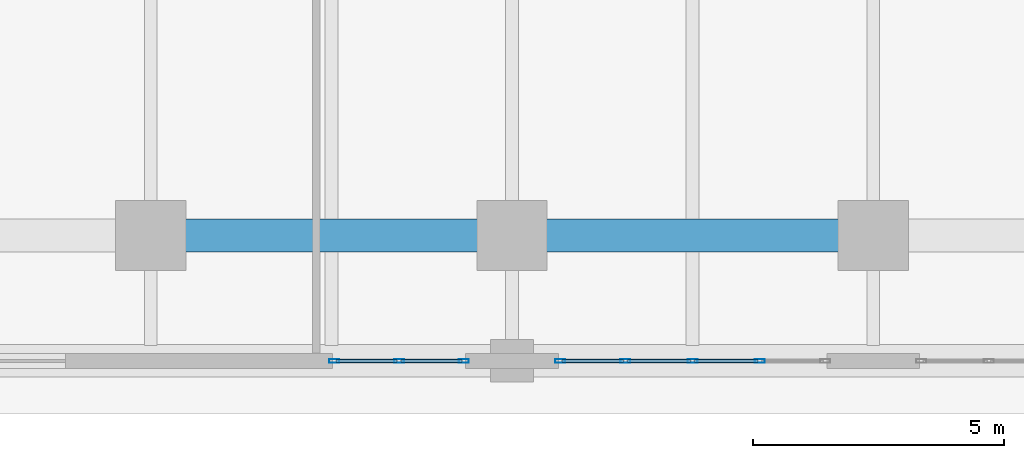
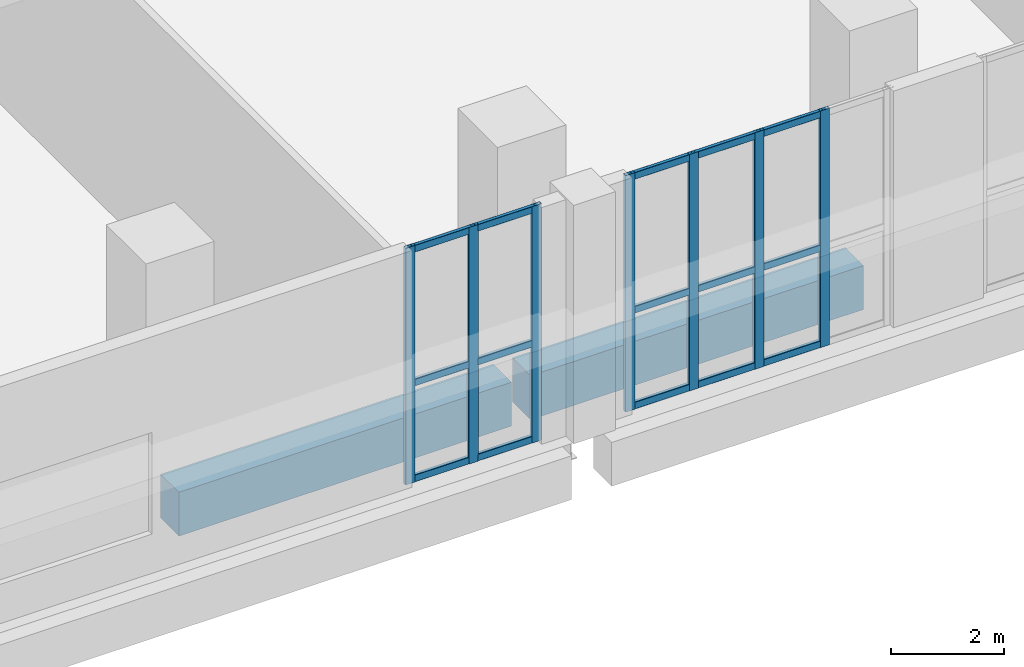
# One storey, part 2 of 25: 22 members, 2 beams, 2 elements without a shape of their own.
"""IFC4 building model written with IfcOpenShell, lengths in metres."""

from ifc_helpers import new_model, si_unit, direction, frame, origin, origin_2d, place, context, subcontext, project, spatial, rectangle, hollow_rectangle, extrude, material, layer, layer_set, material_profile, profile_set, type_object, element, aggregate, save


model = new_model("IFC4")

# Units and contexts
model_context = context("Model", 3, precision=1e-05, world=origin(), true_north=direction((0.0, 1.0)))
body_context = subcontext(model_context, "Body", "Model", "MODEL_VIEW")
ifc_project = project(units=[si_unit("LENGTHUNIT", "METRE"), si_unit("AREAUNIT", "SQUARE_METRE"), si_unit("VOLUMEUNIT", "CUBIC_METRE"), si_unit("PLANEANGLEUNIT", "RADIAN"), si_unit("MASSUNIT", "GRAM", prefix="KILO")], contexts=[model_context])

# Site, building, storey
site_placement = place(None, origin())
site = spatial("IfcSite", under=ifc_project, at=site_placement, CompositionType="ELEMENT")
building_placement = place(site_placement, origin())
building = spatial("IfcBuilding", under=site, at=building_placement, Name="Kaelvorn Grand Hotel", CompositionType="ELEMENT")
storey_placement = place(building_placement, frame((0.0, 0.0, 26.0)))
storey = spatial("IfcBuildingStorey", under=building, at=storey_placement, Name="L04", CompositionType="ELEMENT", Elevation=26.0)

# Beams
ifc_material_1 = material(Name="Concrete C60/75", Category="concrete")
ifc_material_profile_1 = material_profile(ifc_material_1, rectangle(XDim=0.64990234375, YDim=0.949951171875, at=origin_2d()), Name="RC SPANDREL 650x950")
ifc_profile_set_1 = profile_set([ifc_material_profile_1], Name="Concrete C60/75")
beam_type = type_object("IfcBeamType", Name="BM-SP-650x950-C60", PredefinedType="SPANDREL", material=ifc_profile_set_1)
for number, where, z_axis, x_axis, name in (
    (1, (16.39501953125, 0.0, -0.794921875), (1.0, 0.0, 0.0), (0.0, 1.0, 0.0), "L04 Tower Line South Girder 02"),
    (2, (23.594970703125, 0.0, -0.794921875), (1.0, 0.0, 0.0), (0.0, 1.0, 0.0), "L04 Tower Line South Girder 03"),
):
    element("IfcBeam", number, at=place(storey_placement, frame(where, z_axis=z_axis, x_axis=x_axis)), inside=storey, type_object=beam_type, Name=name, PredefinedType="SPANDREL", context=body_context, shape_type="SweptSolid", body=[
        extrude(rectangle(XDim=0.64990234375, YDim=0.949951171875, at=origin_2d()), origin(), (0.0, 0.0, 1.0), 6.81005859375),
    ])

# Curtain wall, members
ifc_material_2 = material(Name="Anodised Aluminium", Category="aluminium")
ifc_layer = layer(ifc_material_2, 0.199951171875)
ifc_layer_set = layer_set([ifc_layer], Name="Anodised Aluminium")
curtain_wall_type = type_object("IfcCurtainWallType", Name="CW-SYS2", PredefinedType="NOTDEFINED", material=ifc_layer_set)
curtain_wall_1_placement = place(storey_placement, origin())
curtain_wall_1 = element("IfcCurtainWall", 3, at=curtain_wall_1_placement, inside=storey, type_object=curtain_wall_type, Name="L04 Unitised Curtain Wall CW2 (CW-L04-S-01)", PredefinedType="NOTDEFINED")
ifc_material_profile_2 = material_profile(ifc_material_2, hollow_rectangle(XDim=0.074951171875, YDim=0.199951171875, WallThickness=0.00390625, InnerFilletRadius=0.00390625, OuterFilletRadius=0.008056640625, at=origin_2d()), Name="ALU MULL 75x200")
ifc_profile_set_2 = profile_set([ifc_material_profile_2], Name="Anodised Aluminium")
member_type_1 = type_object("IfcMemberType", Name="CW-SYS2-MULL", PredefinedType="MULLION", material=ifc_profile_set_2)
member_1_placement = place(storey_placement, frame((19.857421875, -2.5, 0.0), z_axis=(0.0, 0.0, 1.0), x_axis=(0.0, 1.0, 0.0)))
member_1 = element("IfcMember", 4, at=member_1_placement, type_object=member_type_1, Name="CW2 mullion 1", PredefinedType="MULLION", context=body_context, shape_type="SweptSolid", body=[
    extrude(hollow_rectangle(XDim=0.074951171875, YDim=0.199951171875, WallThickness=0.00390625, InnerFilletRadius=0.00390625, OuterFilletRadius=0.008056640625, at=origin_2d()), origin(), (0.0, 0.0, 1.0), 5.1201171875),
])
member_2_placement = place(storey_placement, frame((21.14990234375, -2.5, 0.0), z_axis=(0.0, 0.0, 1.0), x_axis=(0.0, 1.0, 0.0)))
member_2 = element("IfcMember", 5, at=member_2_placement, type_object=member_type_1, Name="CW2 mullion 2", PredefinedType="MULLION", context=body_context, shape_type="SweptSolid", body=[
    extrude(hollow_rectangle(XDim=0.074951171875, YDim=0.199951171875, WallThickness=0.00390625, InnerFilletRadius=0.00390625, OuterFilletRadius=0.008056640625, at=origin_2d()), origin(), (0.0, 0.0, 1.0), 5.1201171875),
])
member_3_placement = place(storey_placement, frame((22.4423828125, -2.5, 0.0), z_axis=(0.0, 0.0, 1.0), x_axis=(0.0, 1.0, 0.0)))
member_3 = element("IfcMember", 6, at=member_3_placement, type_object=member_type_1, Name="CW2 mullion 3", PredefinedType="MULLION", context=body_context, shape_type="SweptSolid", body=[
    extrude(hollow_rectangle(XDim=0.074951171875, YDim=0.199951171875, WallThickness=0.00390625, InnerFilletRadius=0.00390625, OuterFilletRadius=0.008056640625, at=origin_2d()), origin(), (0.0, 0.0, 1.0), 5.1201171875),
])

curtain_wall_2_placement = place(storey_placement, origin())
curtain_wall_2 = element("IfcCurtainWall", 7, at=curtain_wall_2_placement, inside=storey, type_object=curtain_wall_type, Name="L04 Unitised Curtain Wall CW2 (CW-L04-S-02)", PredefinedType="NOTDEFINED")
member_4_placement = place(storey_placement, frame((24.357421875, -2.5, 0.0), z_axis=(0.0, 0.0, 1.0), x_axis=(0.0, 1.0, 0.0)))
member_4 = element("IfcMember", 8, at=member_4_placement, type_object=member_type_1, Name="CW2 mullion 1", PredefinedType="MULLION", context=body_context, shape_type="SweptSolid", body=[
    extrude(hollow_rectangle(XDim=0.074951171875, YDim=0.199951171875, WallThickness=0.00390625, InnerFilletRadius=0.00390625, OuterFilletRadius=0.008056640625, at=origin_2d()), origin(), (0.0, 0.0, 1.0), 5.1201171875),
])
member_5_placement = place(storey_placement, frame((25.659912109375, -2.5, 0.0), z_axis=(0.0, 0.0, 1.0), x_axis=(0.0, 1.0, 0.0)))
member_5 = element("IfcMember", 9, at=member_5_placement, type_object=member_type_1, Name="CW2 mullion 2", PredefinedType="MULLION", context=body_context, shape_type="SweptSolid", body=[
    extrude(hollow_rectangle(XDim=0.074951171875, YDim=0.199951171875, WallThickness=0.00390625, InnerFilletRadius=0.00390625, OuterFilletRadius=0.008056640625, at=origin_2d()), origin(), (0.0, 0.0, 1.0), 5.1201171875),
])
member_6_placement = place(storey_placement, frame((27.0, -2.5, 0.0), z_axis=(0.0, 0.0, 1.0), x_axis=(0.0, 1.0, 0.0)))
member_6 = element("IfcMember", 10, at=member_6_placement, type_object=member_type_1, Name="CW2 mullion 3", PredefinedType="MULLION", context=body_context, shape_type="SweptSolid", body=[
    extrude(hollow_rectangle(XDim=0.074951171875, YDim=0.199951171875, WallThickness=0.00390625, InnerFilletRadius=0.00390625, OuterFilletRadius=0.008056640625, at=origin_2d()), origin(), (0.0, 0.0, 1.0), 5.1201171875),
])
member_7_placement = place(storey_placement, frame((28.340087890625, -2.5, 0.0), z_axis=(0.0, 0.0, 1.0), x_axis=(0.0, 1.0, 0.0)))
member_7 = element("IfcMember", 11, at=member_7_placement, type_object=member_type_1, Name="CW2 mullion 4", PredefinedType="MULLION", context=body_context, shape_type="SweptSolid", body=[
    extrude(hollow_rectangle(XDim=0.074951171875, YDim=0.199951171875, WallThickness=0.00390625, InnerFilletRadius=0.00390625, OuterFilletRadius=0.008056640625, at=origin_2d()), origin(), (0.0, 0.0, 1.0), 5.1201171875),
])

# Member
ifc_material_profile_3 = material_profile(ifc_material_2, hollow_rectangle(XDim=0.074951171875, YDim=0.14990234375, WallThickness=0.00390625, InnerFilletRadius=0.00390625, OuterFilletRadius=0.008056640625, at=origin_2d()), Name="ALU TRAN 75x150")
ifc_profile_set_3 = profile_set([ifc_material_profile_3], Name="Anodised Aluminium")
member_type_2 = type_object("IfcMemberType", Name="CW-SYS2-TRAN", PredefinedType="NOTDEFINED", material=ifc_profile_set_3)
member_8_placement = place(storey_placement, frame((19.89501953125, -2.5, 0.074951171875), z_axis=(1.0, 0.0, 0.0), x_axis=(0.0, 1.0, 0.0)))
member_8 = element("IfcMember", 12, at=member_8_placement, type_object=member_type_2, Name="CW2 transom 1.1", ObjectType="TRANSOM", PredefinedType="USERDEFINED", context=body_context, shape_type="SweptSolid", body=[
    extrude(hollow_rectangle(XDim=0.074951171875, YDim=0.14990234375, WallThickness=0.00390625, InnerFilletRadius=0.00390625, OuterFilletRadius=0.008056640625, at=origin_2d()), origin(), (0.0, 0.0, 1.0), 1.217529296875),
])

member_9_placement = place(storey_placement, frame((19.89501953125, -2.5, 2.150390625), z_axis=(1.0, 0.0, 0.0), x_axis=(0.0, 1.0, 0.0)))
member_9 = element("IfcMember", 13, at=member_9_placement, type_object=member_type_2, Name="CW2 transom 1.2", ObjectType="TRANSOM", PredefinedType="USERDEFINED", context=body_context, shape_type="SweptSolid", body=[
    extrude(hollow_rectangle(XDim=0.074951171875, YDim=0.14990234375, WallThickness=0.00390625, InnerFilletRadius=0.00390625, OuterFilletRadius=0.008056640625, at=origin_2d()), origin(), (0.0, 0.0, 1.0), 1.217529296875),
])

member_10_placement = place(storey_placement, frame((19.89501953125, -2.5, 5.044921875), z_axis=(1.0, 0.0, 0.0), x_axis=(0.0, 1.0, 0.0)))
member_10 = element("IfcMember", 14, at=member_10_placement, type_object=member_type_2, Name="CW2 transom 1.3", ObjectType="TRANSOM", PredefinedType="USERDEFINED", context=body_context, shape_type="SweptSolid", body=[
    extrude(hollow_rectangle(XDim=0.074951171875, YDim=0.14990234375, WallThickness=0.00390625, InnerFilletRadius=0.00390625, OuterFilletRadius=0.008056640625, at=origin_2d()), origin(), (0.0, 0.0, 1.0), 1.217529296875),
])

member_11_placement = place(storey_placement, frame((21.1875, -2.5, 0.074951171875), z_axis=(1.0, 0.0, 0.0), x_axis=(0.0, 1.0, 0.0)))
member_11 = element("IfcMember", 15, at=member_11_placement, type_object=member_type_2, Name="CW2 transom 2.1", ObjectType="TRANSOM", PredefinedType="USERDEFINED", context=body_context, shape_type="SweptSolid", body=[
    extrude(hollow_rectangle(XDim=0.074951171875, YDim=0.14990234375, WallThickness=0.00390625, InnerFilletRadius=0.00390625, OuterFilletRadius=0.008056640625, at=origin_2d()), origin(), (0.0, 0.0, 1.0), 1.217529296875),
])

member_12_placement = place(storey_placement, frame((21.1875, -2.5, 2.150390625), z_axis=(1.0, 0.0, 0.0), x_axis=(0.0, 1.0, 0.0)))
member_12 = element("IfcMember", 16, at=member_12_placement, type_object=member_type_2, Name="CW2 transom 2.2", ObjectType="TRANSOM", PredefinedType="USERDEFINED", context=body_context, shape_type="SweptSolid", body=[
    extrude(hollow_rectangle(XDim=0.074951171875, YDim=0.14990234375, WallThickness=0.00390625, InnerFilletRadius=0.00390625, OuterFilletRadius=0.008056640625, at=origin_2d()), origin(), (0.0, 0.0, 1.0), 1.217529296875),
])

member_13_placement = place(storey_placement, frame((21.1875, -2.5, 5.044921875), z_axis=(1.0, 0.0, 0.0), x_axis=(0.0, 1.0, 0.0)))
member_13 = element("IfcMember", 17, at=member_13_placement, type_object=member_type_2, Name="CW2 transom 2.3", ObjectType="TRANSOM", PredefinedType="USERDEFINED", context=body_context, shape_type="SweptSolid", body=[
    extrude(hollow_rectangle(XDim=0.074951171875, YDim=0.14990234375, WallThickness=0.00390625, InnerFilletRadius=0.00390625, OuterFilletRadius=0.008056640625, at=origin_2d()), origin(), (0.0, 0.0, 1.0), 1.217529296875),
])

aggregate(curtain_wall_1, [member_1, member_2, member_3, member_8, member_9, member_10, member_11, member_12, member_13])

member_14_placement = place(storey_placement, frame((24.39501953125, -2.5, 0.074951171875), z_axis=(1.0, 0.0, 0.0), x_axis=(0.0, 1.0, 0.0)))
member_14 = element("IfcMember", 18, at=member_14_placement, type_object=member_type_2, Name="CW2 transom 1.1", ObjectType="TRANSOM", PredefinedType="USERDEFINED", context=body_context, shape_type="SweptSolid", body=[
    extrude(hollow_rectangle(XDim=0.074951171875, YDim=0.14990234375, WallThickness=0.00390625, InnerFilletRadius=0.00390625, OuterFilletRadius=0.008056640625, at=origin_2d()), origin(), (0.0, 0.0, 1.0), 1.2275390625),
])

member_15_placement = place(storey_placement, frame((24.39501953125, -2.5, 2.150390625), z_axis=(1.0, 0.0, 0.0), x_axis=(0.0, 1.0, 0.0)))
member_15 = element("IfcMember", 19, at=member_15_placement, type_object=member_type_2, Name="CW2 transom 1.2", ObjectType="TRANSOM", PredefinedType="USERDEFINED", context=body_context, shape_type="SweptSolid", body=[
    extrude(hollow_rectangle(XDim=0.074951171875, YDim=0.14990234375, WallThickness=0.00390625, InnerFilletRadius=0.00390625, OuterFilletRadius=0.008056640625, at=origin_2d()), origin(), (0.0, 0.0, 1.0), 1.2275390625),
])

member_16_placement = place(storey_placement, frame((24.39501953125, -2.5, 5.044921875), z_axis=(1.0, 0.0, 0.0), x_axis=(0.0, 1.0, 0.0)))
member_16 = element("IfcMember", 20, at=member_16_placement, type_object=member_type_2, Name="CW2 transom 1.3", ObjectType="TRANSOM", PredefinedType="USERDEFINED", context=body_context, shape_type="SweptSolid", body=[
    extrude(hollow_rectangle(XDim=0.074951171875, YDim=0.14990234375, WallThickness=0.00390625, InnerFilletRadius=0.00390625, OuterFilletRadius=0.008056640625, at=origin_2d()), origin(), (0.0, 0.0, 1.0), 1.2275390625),
])

member_17_placement = place(storey_placement, frame((25.697509765625, -2.5, 0.074951171875), z_axis=(1.0, 0.0, 0.0), x_axis=(0.0, 1.0, 0.0)))
member_17 = element("IfcMember", 21, at=member_17_placement, type_object=member_type_2, Name="CW2 transom 2.1", ObjectType="TRANSOM", PredefinedType="USERDEFINED", context=body_context, shape_type="SweptSolid", body=[
    extrude(hollow_rectangle(XDim=0.074951171875, YDim=0.14990234375, WallThickness=0.00390625, InnerFilletRadius=0.00390625, OuterFilletRadius=0.008056640625, at=origin_2d()), origin(), (0.0, 0.0, 1.0), 1.264892578125),
])

member_18_placement = place(storey_placement, frame((25.697509765625, -2.5, 2.150390625), z_axis=(1.0, 0.0, 0.0), x_axis=(0.0, 1.0, 0.0)))
member_18 = element("IfcMember", 22, at=member_18_placement, type_object=member_type_2, Name="CW2 transom 2.2", ObjectType="TRANSOM", PredefinedType="USERDEFINED", context=body_context, shape_type="SweptSolid", body=[
    extrude(hollow_rectangle(XDim=0.074951171875, YDim=0.14990234375, WallThickness=0.00390625, InnerFilletRadius=0.00390625, OuterFilletRadius=0.008056640625, at=origin_2d()), origin(), (0.0, 0.0, 1.0), 1.264892578125),
])

member_19_placement = place(storey_placement, frame((25.697509765625, -2.5, 5.044921875), z_axis=(1.0, 0.0, 0.0), x_axis=(0.0, 1.0, 0.0)))
member_19 = element("IfcMember", 23, at=member_19_placement, type_object=member_type_2, Name="CW2 transom 2.3", ObjectType="TRANSOM", PredefinedType="USERDEFINED", context=body_context, shape_type="SweptSolid", body=[
    extrude(hollow_rectangle(XDim=0.074951171875, YDim=0.14990234375, WallThickness=0.00390625, InnerFilletRadius=0.00390625, OuterFilletRadius=0.008056640625, at=origin_2d()), origin(), (0.0, 0.0, 1.0), 1.264892578125),
])

member_20_placement = place(storey_placement, frame((27.03759765625, -2.5, 0.074951171875), z_axis=(1.0, 0.0, 0.0), x_axis=(0.0, 1.0, 0.0)))
member_20 = element("IfcMember", 24, at=member_20_placement, type_object=member_type_2, Name="CW2 transom 3.1", ObjectType="TRANSOM", PredefinedType="USERDEFINED", context=body_context, shape_type="SweptSolid", body=[
    extrude(hollow_rectangle(XDim=0.074951171875, YDim=0.14990234375, WallThickness=0.00390625, InnerFilletRadius=0.00390625, OuterFilletRadius=0.008056640625, at=origin_2d()), origin(), (0.0, 0.0, 1.0), 1.264892578125),
])

member_21_placement = place(storey_placement, frame((27.03759765625, -2.5, 2.150390625), z_axis=(1.0, 0.0, 0.0), x_axis=(0.0, 1.0, 0.0)))
member_21 = element("IfcMember", 25, at=member_21_placement, type_object=member_type_2, Name="CW2 transom 3.2", ObjectType="TRANSOM", PredefinedType="USERDEFINED", context=body_context, shape_type="SweptSolid", body=[
    extrude(hollow_rectangle(XDim=0.074951171875, YDim=0.14990234375, WallThickness=0.00390625, InnerFilletRadius=0.00390625, OuterFilletRadius=0.008056640625, at=origin_2d()), origin(), (0.0, 0.0, 1.0), 1.264892578125),
])

member_22_placement = place(storey_placement, frame((27.03759765625, -2.5, 5.044921875), z_axis=(1.0, 0.0, 0.0), x_axis=(0.0, 1.0, 0.0)))
member_22 = element("IfcMember", 26, at=member_22_placement, type_object=member_type_2, Name="CW2 transom 3.3", ObjectType="TRANSOM", PredefinedType="USERDEFINED", context=body_context, shape_type="SweptSolid", body=[
    extrude(hollow_rectangle(XDim=0.074951171875, YDim=0.14990234375, WallThickness=0.00390625, InnerFilletRadius=0.00390625, OuterFilletRadius=0.008056640625, at=origin_2d()), origin(), (0.0, 0.0, 1.0), 1.264892578125),
])

aggregate(curtain_wall_2, [member_4, member_5, member_6, member_7, member_14, member_15, member_16, member_17, member_18, member_19, member_20, member_21, member_22])

save(model, "model.ifc")
